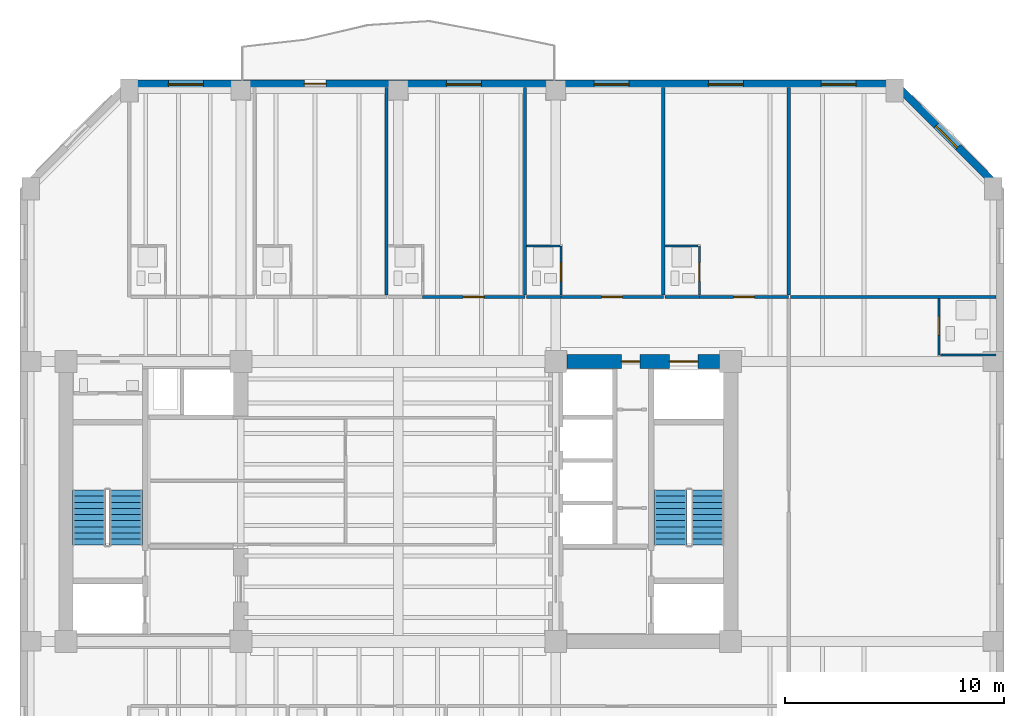
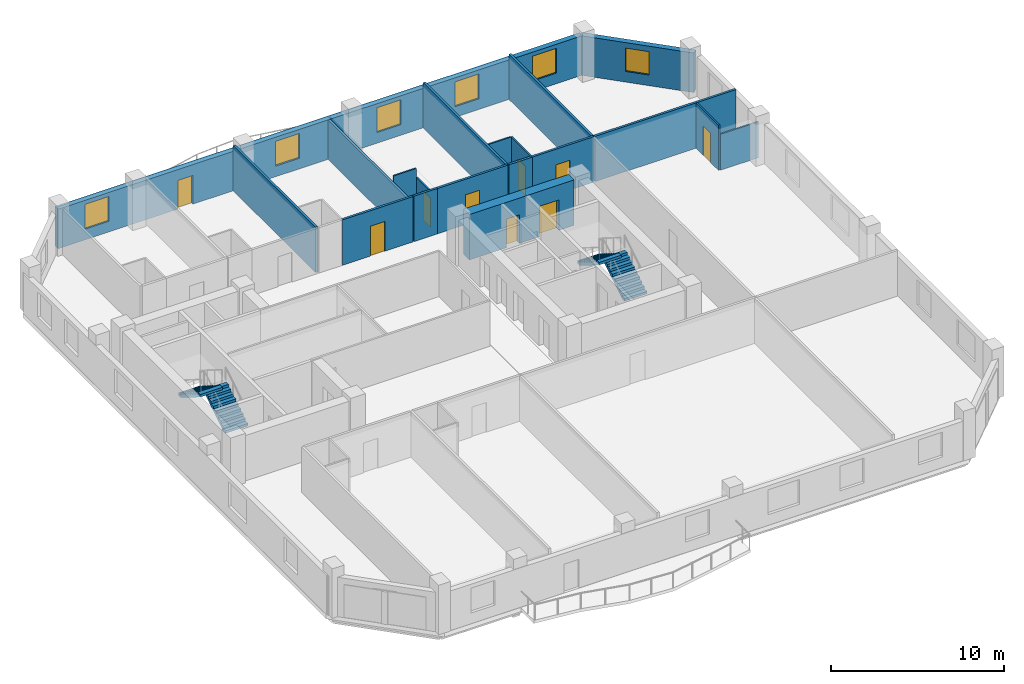
# One storey, part 5 of 9: 19 walls, 9 doors, 6 windows, 4 stair flights, 15 openings, 2 elements without a shape of their own.
"""IFC4 building model written with IfcOpenShell, lengths in metres."""

from ifc_helpers import new_model, si_unit, direction, frame, frame_2d, origin, place, context, subcontext, project, spatial, polyline, rectangle, outline, extrude, material, layer, layer_set, type_object, element, fill, aggregate, save


model = new_model("IFC4")

# Units and contexts
model_context = context("Model", 3, precision=1e-05, world=origin(), true_north=direction((0.0, 1.0)))
body_context = subcontext(model_context, "Body", "Model", "MODEL_VIEW")
ifc_project = project(units=[si_unit("LENGTHUNIT", "METRE"), si_unit("AREAUNIT", "SQUARE_METRE"), si_unit("VOLUMEUNIT", "CUBIC_METRE"), si_unit("PLANEANGLEUNIT", "RADIAN"), si_unit("MASSUNIT", "GRAM", prefix="KILO")], contexts=[model_context])

# Site, building, storey
site_placement = place(None, origin())
site = spatial("IfcSite", under=ifc_project, at=site_placement, CompositionType="ELEMENT")
building_placement = place(site_placement, origin())
building = spatial("IfcBuilding", under=site, at=building_placement, Name="Kranthara Brick Stack", CompositionType="ELEMENT")
storey_placement = place(building_placement, frame((0.0, 0.0, 148.300048828125)))
storey = spatial("IfcBuildingStorey", under=building, at=storey_placement, Name="L37", CompositionType="ELEMENT", Elevation=148.300048828125)

# Wall, openings, door, windows
ifc_material_1 = material(Name="Kiln-fired clay brick masonry M15", Category="masonry")
ifc_layer_1 = layer(ifc_material_1, 0.35009765625)
ifc_layer_set_1 = layer_set([ifc_layer_1], Name="Kiln-fired clay brick masonry M15")
wall_type_1 = type_object("IfcWallType", Name="WL-BRK-SPND-350", PredefinedType="STANDARD", material=ifc_layer_set_1)
wall_1_placement = place(storey_placement, frame((15.699951171875, 46.304931640625, 0.0), z_axis=(0.0, 0.0, 1.0), x_axis=(1.0, 0.0, 0.0)))
wall_1 = element("IfcWall", 1, at=wall_1_placement, inside=storey, type_object=wall_type_1, Name="L37 Exterior Brick Facade Wall NORTH 1", PredefinedType="STANDARD", context=body_context, shape_type="SweptSolid", body=[
    extrude(rectangle(XDim=35.0, YDim=0.35009765625, at=frame_2d((17.5, 0.0))), origin(), (0.0, 0.0, 1.0), 2.784912109375),
])
opening_1_placement = place(wall_1_placement, frame((8.0, 0.0, 0.0)))
opening_1 = element("IfcOpeningElement", 2, at=opening_1_placement, cuts=wall_1, Name="Opening D03", PredefinedType="OPENING", context=body_context, shape_type="SweptSolid", body=[
    extrude(rectangle(XDim=1.0, YDim=2.02001953125, at=frame_2d((0.5, 1.010009765625))), frame((0.0, 0.18505859375, 0.0), z_axis=(0.0, -1.0, 0.0), x_axis=(1.0, 0.0, 0.0)), (0.0, 0.0, 1.0), 0.3701171875),
])
opening_2_placement = place(wall_1_placement, frame((1.7880859375, 0.0, 0.75)))
opening_2 = element("IfcOpeningElement", 3, at=opening_2_placement, cuts=wall_1, Name="Opening WN04", PredefinedType="OPENING", context=body_context, shape_type="SweptSolid", body=[
    extrude(rectangle(XDim=1.60009765625, YDim=1.75, at=frame_2d((0.800048828125, 0.875))), frame((0.0, 0.18505859375, 0.0), z_axis=(0.0, -1.0, 0.0), x_axis=(1.0, 0.0, 0.0)), (0.0, 0.0, 1.0), 0.3701171875),
])
opening_3_placement = place(wall_1_placement, frame((14.4951171875, 0.0, 0.75)))
opening_3 = element("IfcOpeningElement", 4, at=opening_3_placement, cuts=wall_1, Name="Opening WN04", PredefinedType="OPENING", context=body_context, shape_type="SweptSolid", body=[
    extrude(rectangle(XDim=1.60009765625, YDim=1.75, at=frame_2d((0.800048828125, 0.875))), frame((0.0, 0.18505859375, 0.0), z_axis=(0.0, -1.0, 0.0), x_axis=(1.0, 0.0, 0.0)), (0.0, 0.0, 1.0), 0.3701171875),
])
opening_4_placement = place(wall_1_placement, frame((21.260986328125, 0.0, 0.75)))
opening_4 = element("IfcOpeningElement", 5, at=opening_4_placement, cuts=wall_1, Name="Opening WN04", PredefinedType="OPENING", context=body_context, shape_type="SweptSolid", body=[
    extrude(rectangle(XDim=1.60009765625, YDim=1.75, at=frame_2d((0.800048828125, 0.875))), frame((0.0, 0.18505859375, 0.0), z_axis=(0.0, -1.0, 0.0), x_axis=(1.0, 0.0, 0.0)), (0.0, 0.0, 1.0), 0.3701171875),
])
opening_5_placement = place(wall_1_placement, frame((26.486083984375, 0.0, 0.75)))
opening_5 = element("IfcOpeningElement", 6, at=opening_5_placement, cuts=wall_1, Name="Opening WN04", PredefinedType="OPENING", context=body_context, shape_type="SweptSolid", body=[
    extrude(rectangle(XDim=1.60009765625, YDim=1.75, at=frame_2d((0.800048828125, 0.875))), frame((0.0, 0.18505859375, 0.0), z_axis=(0.0, -1.0, 0.0), x_axis=(1.0, 0.0, 0.0)), (0.0, 0.0, 1.0), 0.3701171875),
])
opening_6_placement = place(wall_1_placement, frame((31.636962890625, 0.0, 0.75)))
opening_6 = element("IfcOpeningElement", 7, at=opening_6_placement, cuts=wall_1, Name="Opening WN04", PredefinedType="OPENING", context=body_context, shape_type="SweptSolid", body=[
    extrude(rectangle(XDim=1.60009765625, YDim=1.75, at=frame_2d((0.800048828125, 0.875))), frame((0.0, 0.18505859375, 0.0), z_axis=(0.0, -1.0, 0.0), x_axis=(1.0, 0.0, 0.0)), (0.0, 0.0, 1.0), 0.3701171875),
])
ifc_material_2 = material(Name="Bronze anodised aluminium and laminated glass", Category="aluminium")
door_type_1 = type_object("IfcDoorType", Name="DR-BALC-1000", OperationType="NOTDEFINED", PredefinedType="DOOR", material=ifc_material_2)
door_1_placement = place(opening_1_placement, origin())
door_1 = element("IfcDoor", 8, at=door_1_placement, inside=storey, type_object=door_type_1, Name="L37 North Balcony Terrace Door", OperationType="SINGLE_SWING_RIGHT", OverallHeight=2.02001953125, OverallWidth=1.0, PredefinedType="DOOR", context=body_context, shape_type="SweptSolid", body=[
    extrude(rectangle(XDim=1.0, YDim=2.02001953125, at=frame_2d((0.5, 1.010009765625))), frame((0.0, 0.02490234375, 0.0), z_axis=(0.0, -1.0, 0.0), x_axis=(1.0, 0.0, 0.0)), (0.0, 0.0, 1.0), 0.050048828125),
])
fill(opening_1, door_1)
ifc_material_3 = material(Name="Double-glazed low-E solar control glass", Category="glass")
window_type_1 = type_object("IfcWindowType", Name="WN-HTL-1600x1850", PartitioningType="DOUBLE_PANEL_VERTICAL", PredefinedType="WINDOW", material=ifc_material_3)
window_1_placement = place(opening_2_placement, origin())
window_1 = element("IfcWindow", 9, at=window_1_placement, inside=storey, type_object=window_type_1, Name="L37 North Deep-Set Brick Window 01", OverallHeight=1.75, OverallWidth=1.60009765625, PartitioningType="SINGLE_PANEL", PredefinedType="WINDOW", context=body_context, shape_type="SweptSolid", body=[
    extrude(rectangle(XDim=1.60009765625, YDim=1.75, at=frame_2d((0.800048828125, 0.875))), frame((0.0, -0.010009765625, 0.0), z_axis=(0.0, -1.0, 0.0), x_axis=(1.0, 0.0, 0.0)), (0.0, 0.0, 1.0), 0.06005859375),
])
fill(opening_2, window_1)
window_2_placement = place(opening_3_placement, origin())
window_2 = element("IfcWindow", 10, at=window_2_placement, inside=storey, type_object=window_type_1, Name="L37 North Deep-Set Brick Window 02", OverallHeight=1.75, OverallWidth=1.60009765625, PartitioningType="SINGLE_PANEL", PredefinedType="WINDOW", context=body_context, shape_type="SweptSolid", body=[
    extrude(rectangle(XDim=1.60009765625, YDim=1.75, at=frame_2d((0.800048828125, 0.875))), frame((0.0, -0.010009765625, 0.0), z_axis=(0.0, -1.0, 0.0), x_axis=(1.0, 0.0, 0.0)), (0.0, 0.0, 1.0), 0.06005859375),
])
fill(opening_3, window_2)
window_3_placement = place(opening_4_placement, origin())
window_3 = element("IfcWindow", 11, at=window_3_placement, inside=storey, type_object=window_type_1, Name="L37 North Deep-Set Brick Window 03", OverallHeight=1.75, OverallWidth=1.60009765625, PartitioningType="SINGLE_PANEL", PredefinedType="WINDOW", context=body_context, shape_type="SweptSolid", body=[
    extrude(rectangle(XDim=1.60009765625, YDim=1.75, at=frame_2d((0.800048828125, 0.875))), frame((0.0, -0.010009765625, 0.0), z_axis=(0.0, -1.0, 0.0), x_axis=(1.0, 0.0, 0.0)), (0.0, 0.0, 1.0), 0.06005859375),
])
fill(opening_4, window_3)
window_4_placement = place(opening_5_placement, origin())
window_4 = element("IfcWindow", 12, at=window_4_placement, inside=storey, type_object=window_type_1, Name="L37 North Deep-Set Brick Window 04", OverallHeight=1.75, OverallWidth=1.60009765625, PartitioningType="SINGLE_PANEL", PredefinedType="WINDOW", context=body_context, shape_type="SweptSolid", body=[
    extrude(rectangle(XDim=1.60009765625, YDim=1.75, at=frame_2d((0.800048828125, 0.875))), frame((0.0, -0.010009765625, 0.0), z_axis=(0.0, -1.0, 0.0), x_axis=(1.0, 0.0, 0.0)), (0.0, 0.0, 1.0), 0.06005859375),
])
fill(opening_5, window_4)
window_5_placement = place(opening_6_placement, origin())
window_5 = element("IfcWindow", 13, at=window_5_placement, inside=storey, type_object=window_type_1, Name="L37 North Deep-Set Brick Window 05", OverallHeight=1.75, OverallWidth=1.60009765625, PartitioningType="SINGLE_PANEL", PredefinedType="WINDOW", context=body_context, shape_type="SweptSolid", body=[
    extrude(rectangle(XDim=1.60009765625, YDim=1.75, at=frame_2d((0.800048828125, 0.875))), frame((0.0, -0.010009765625, 0.0), z_axis=(0.0, -1.0, 0.0), x_axis=(1.0, 0.0, 0.0)), (0.0, 0.0, 1.0), 0.06005859375),
])
fill(opening_6, window_5)

# Wall, opening, window
wall_2_placement = place(storey_placement, frame((50.699951171875, 46.304931640625, 0.0), z_axis=(0.0, 0.0, 1.0), x_axis=(0.707106781187, -0.707106781187, 0.0)))
wall_2 = element("IfcWall", 14, at=wall_2_placement, inside=storey, type_object=wall_type_1, Name="L37 Exterior Brick Facade Wall NE 1", PredefinedType="STANDARD", context=body_context, shape_type="SweptSolid", body=[
    extrude(rectangle(XDim=6.795166015625, YDim=0.35009765625, at=frame_2d((3.3974609375, 0.0))), origin(), (0.0, 0.0, 1.0), 2.784912109375),
])
opening_7_placement = place(wall_2_placement, frame((2.697998046875, 0.0, 0.75)))
opening_7 = element("IfcOpeningElement", 15, at=opening_7_placement, cuts=wall_2, Name="Opening WN10", PredefinedType="OPENING", context=body_context, shape_type="SweptSolid", body=[
    extrude(rectangle(XDim=1.39990234375, YDim=1.64990234375, at=frame_2d((0.699951171875, 0.824951171875))), frame((0.0, 0.18505859375, 0.0), z_axis=(0.0, -1.0, 0.0), x_axis=(1.0, 0.0, 0.0)), (0.0, 0.0, 1.0), 0.3701171875),
])
ifc_material_4 = material(Name="Double-glazed low-E solar control glass", Category="glass")
window_type_2 = type_object("IfcWindowType", Name="WN-CHM-1400x1750", PartitioningType="SINGLE_PANEL", PredefinedType="WINDOW", material=ifc_material_4)
window_6_placement = place(opening_7_placement, origin())
window_6 = element("IfcWindow", 16, at=window_6_placement, inside=storey, type_object=window_type_2, Name="L37 NE Chamfer Corner Window", OverallHeight=1.64990234375, OverallWidth=1.39990234375, PartitioningType="SINGLE_PANEL", PredefinedType="WINDOW", context=body_context, shape_type="SweptSolid", body=[
    extrude(rectangle(XDim=1.39990234375, YDim=1.64990234375, at=frame_2d((0.699951171875, 0.824951171875))), frame((0.0, -0.010009765625, 0.0), z_axis=(0.0, -1.0, 0.0), x_axis=(1.0, 0.0, 0.0)), (0.0, 0.0, 1.0), 0.06005859375),
])
fill(opening_7, window_6)

# Wall, openings, doors
ifc_material_5 = material(Name="Concrete C60/75", Category="concrete")
ifc_layer_2 = layer(ifc_material_5, 0.64990234375)
ifc_layer_set_2 = layer_set([ifc_layer_2], Name="Concrete C60/75")
wall_type_2 = type_object("IfcWallType", Name="WL-CORE-650", PredefinedType="SHEAR", material=ifc_layer_set_2)
wall_3_placement = place(storey_placement, frame((35.705078125, 33.60009765625, 0.0), z_axis=(0.0, 0.0, 1.0), x_axis=(1.0, 0.0, 0.0)))
wall_3 = element("IfcWall", 17, at=wall_3_placement, inside=storey, type_object=wall_type_2, Name="L37 East Core Shear Wall North", PredefinedType="SHEAR", context=body_context, shape_type="SweptSolid", body=[
    extrude(rectangle(XDim=6.989990234375, YDim=0.64990234375, at=frame_2d((3.4951171875, 0.0))), origin(), (0.0, 0.0, 1.0), 3.199951171875),
])
opening_8_placement = place(wall_3_placement, frame((4.695068359375, 0.0, 0.0)))
opening_8 = element("IfcOpeningElement", 18, at=opening_8_placement, cuts=wall_3, Name="Opening LD03", PredefinedType="OPENING", context=body_context, shape_type="SweptSolid", body=[
    extrude(rectangle(XDim=1.300048828125, YDim=2.14990234375, at=frame_2d((0.64990234375, 1.074951171875))), frame((0.0, 0.3349609375, 0.0), z_axis=(0.0, -1.0, 0.0), x_axis=(1.0, 0.0, 0.0)), (0.0, 0.0, 1.0), 0.669921875),
])
opening_9_placement = place(wall_3_placement, frame((2.4951171875, 0.0, 0.0)))
opening_9 = element("IfcOpeningElement", 19, at=opening_9_placement, cuts=wall_3, Name="Opening D10", PredefinedType="OPENING", context=body_context, shape_type="SweptSolid", body=[
    extrude(rectangle(XDim=0.85009765625, YDim=2.02001953125, at=frame_2d((0.425048828125, 1.010009765625))), frame((0.0, 0.3349609375, 0.0), z_axis=(0.0, -1.0, 0.0), x_axis=(1.0, 0.0, 0.0)), (0.0, 0.0, 1.0), 0.669921875),
])
ifc_material_6 = material(Name="Stainless steel sliding landing door", Category="steel")
door_type_2 = type_object("IfcDoorType", Name="DR-LD-SV1300", OperationType="DOUBLE_DOOR_SLIDING", PredefinedType="DOOR", material=ifc_material_6)
door_2_placement = place(opening_8_placement, origin())
door_2 = element("IfcDoor", 20, at=door_2_placement, inside=storey, type_object=door_type_2, Name="L37 Stretcher Service Lift SV-01 Landing Door", OperationType="DOUBLE_DOOR_SLIDING", OverallHeight=2.14990234375, OverallWidth=1.300048828125, PredefinedType="DOOR", context=body_context, shape_type="SweptSolid", body=[
    extrude(rectangle(XDim=1.300048828125, YDim=2.14990234375, at=frame_2d((0.64990234375, 1.074951171875))), frame((0.0, 0.02490234375, 0.0), z_axis=(0.0, -1.0, 0.0), x_axis=(1.0, 0.0, 0.0)), (0.0, 0.0, 1.0), 0.050048828125),
])
fill(opening_8, door_2)
ifc_material_7 = material(Name="Solid-core hardwood timber leaf in steel frame", Category="steel")
door_type_3 = type_object("IfcDoorType", Name="DR-RSR-850", OperationType="NOTDEFINED", PredefinedType="DOOR", material=ifc_material_7)
door_3_placement = place(opening_9_placement, origin())
door_3 = element("IfcDoor", 21, at=door_3_placement, inside=storey, type_object=door_type_3, Name="L37 East Core Service Room Door", OperationType="SINGLE_SWING_LEFT", OverallHeight=2.02001953125, OverallWidth=0.85009765625, PredefinedType="DOOR", context=body_context, shape_type="SweptSolid", body=[
    extrude(rectangle(XDim=0.85009765625, YDim=2.02001953125, at=frame_2d((0.425048828125, 1.010009765625))), frame((0.0, 0.02490234375, 0.0), z_axis=(0.0, -1.0, 0.0), x_axis=(1.0, 0.0, 0.0)), (0.0, 0.0, 1.0), 0.050048828125),
])
fill(opening_9, door_3)

# Wall, opening, door
ifc_material_8 = material(Name="Moisture-resistant wet-room partition", Category="other")
ifc_layer_3 = layer(ifc_material_8, 0.10009765625)
ifc_layer_set_3 = layer_set([ifc_layer_3], Name="Moisture-resistant wet-room partition")
wall_type_3 = type_object("IfcWallType", Name="WL-PART-100", PredefinedType="PARTITIONING", material=ifc_layer_set_3)
wall_4_placement = place(storey_placement, frame((35.43994140625, 36.6298828125, 0.0), z_axis=(0.0, 0.0, 1.0), x_axis=(0.0, 1.0, 0.0)))
wall_4 = element("IfcWall", 22, at=wall_4_placement, inside=storey, type_object=wall_type_3, Name="L37 Interior Partition 040", PredefinedType="PARTITIONING", context=body_context, shape_type="SweptSolid", body=[
    extrude(rectangle(XDim=2.25, YDim=0.10009765625, at=frame_2d((1.125, 0.0))), origin(), (0.0, 0.0, 1.0), 2.534912109375),
])
opening_10_placement = place(wall_4_placement, frame((0.639892578125, 0.0, 0.0)))
opening_10 = element("IfcOpeningElement", 23, at=opening_10_placement, cuts=wall_4, Name="Opening D17", PredefinedType="OPENING", context=body_context, shape_type="SweptSolid", body=[
    extrude(rectangle(XDim=0.85009765625, YDim=2.050048828125, at=frame_2d((0.425048828125, 1.02490234375))), frame((0.0, 0.06005859375, 0.0), z_axis=(0.0, -1.0, 0.0), x_axis=(1.0, 0.0, 0.0)), (0.0, 0.0, 1.0), 0.1201171875),
])
ifc_material_9 = material(Name="Solid-core hardwood timber leaf in steel frame", Category="steel")
door_type_4 = type_object("IfcDoorType", Name="DR-WET-850", OperationType="NOTDEFINED", PredefinedType="DOOR", material=ifc_material_9)
door_4_placement = place(opening_10_placement, origin())
door_4 = element("IfcDoor", 24, at=door_4_placement, inside=storey, type_object=door_type_4, Name="L37 Key 07 En-Suite Door 18", OperationType="SINGLE_SWING_RIGHT", OverallHeight=2.050048828125, OverallWidth=0.85009765625, PredefinedType="DOOR", context=body_context, shape_type="SweptSolid", body=[
    extrude(rectangle(XDim=0.85009765625, YDim=2.050048828125, at=frame_2d((0.425048828125, 1.02490234375))), frame((0.0, 0.02490234375, 0.0), z_axis=(0.0, -1.0, 0.0), x_axis=(1.0, 0.0, 0.0)), (0.0, 0.0, 1.0), 0.050048828125),
])
fill(opening_10, door_4)

# Wall
wall_5_placement = place(storey_placement, frame((33.8701171875, 38.8798828125, 0.0), z_axis=(0.0, 0.0, 1.0), x_axis=(1.0, 0.0, 0.0)))
element("IfcWall", 25, at=wall_5_placement, inside=storey, type_object=wall_type_3, Name="L37 Interior Partition 041", PredefinedType="PARTITIONING", context=body_context, shape_type="SweptSolid", body=[
    extrude(rectangle(XDim=1.514892578125, YDim=0.10009765625, at=frame_2d((0.75732421875, 0.0))), origin(), (0.0, 0.0, 1.0), 3.199951171875),
])

# Wall, opening, door
wall_6_placement = place(storey_placement, frame((41.77099609375, 36.6298828125, 0.0), z_axis=(0.0, 0.0, 1.0), x_axis=(0.0, 1.0, 0.0)))
wall_6 = element("IfcWall", 26, at=wall_6_placement, inside=storey, type_object=wall_type_3, Name="L37 Interior Partition 045", PredefinedType="PARTITIONING", context=body_context, shape_type="SweptSolid", body=[
    extrude(rectangle(XDim=2.25, YDim=0.10009765625, at=frame_2d((1.125, 0.0))), origin(), (0.0, 0.0, 1.0), 3.199951171875),
])
opening_11_placement = place(wall_6_placement, frame((0.639892578125, 0.0, 0.0)))
opening_11 = element("IfcOpeningElement", 27, at=opening_11_placement, cuts=wall_6, Name="Opening D17", PredefinedType="OPENING", context=body_context, shape_type="SweptSolid", body=[
    extrude(rectangle(XDim=0.85009765625, YDim=2.050048828125, at=frame_2d((0.425048828125, 1.02490234375))), frame((0.0, 0.06005859375, 0.0), z_axis=(0.0, -1.0, 0.0), x_axis=(1.0, 0.0, 0.0)), (0.0, 0.0, 1.0), 0.1201171875),
])
door_5_placement = place(opening_11_placement, origin())
door_5 = element("IfcDoor", 28, at=door_5_placement, inside=storey, type_object=door_type_4, Name="L37 Key 08 En-Suite Door 20", OperationType="SINGLE_SWING_RIGHT", OverallHeight=2.050048828125, OverallWidth=0.85009765625, PredefinedType="DOOR", context=body_context, shape_type="SweptSolid", body=[
    extrude(rectangle(XDim=0.85009765625, YDim=2.050048828125, at=frame_2d((0.425048828125, 1.02490234375))), frame((0.0, 0.02490234375, 0.0), z_axis=(0.0, -1.0, 0.0), x_axis=(1.0, 0.0, 0.0)), (0.0, 0.0, 1.0), 0.050048828125),
])
fill(opening_11, door_5)

# Wall
wall_7_placement = place(storey_placement, frame((40.200927734375, 38.8798828125, 0.0), z_axis=(0.0, 0.0, 1.0), x_axis=(1.0, 0.0, 0.0)))
element("IfcWall", 29, at=wall_7_placement, inside=storey, type_object=wall_type_3, Name="L37 Interior Partition 046", PredefinedType="PARTITIONING", context=body_context, shape_type="SweptSolid", body=[
    extrude(rectangle(XDim=1.51513671875, YDim=0.10009765625, at=frame_2d((0.757568359375, 0.0))), origin(), (0.0, 0.0, 1.0), 3.199951171875),
])

# Wall, opening, door
wall_8_placement = place(storey_placement, frame((52.72998046875, 33.89990234375, 0.0), z_axis=(0.0, 0.0, 1.0), x_axis=(0.0, 1.0, 0.0)))
wall_8 = element("IfcWall", 30, at=wall_8_placement, inside=storey, type_object=wall_type_3, Name="L37 Interior Partition 051", PredefinedType="PARTITIONING", context=body_context, shape_type="SweptSolid", body=[
    extrude(rectangle(XDim=2.570068359375, YDim=0.10009765625, at=frame_2d((1.28515625, 0.0))), origin(), (0.0, 0.0, 1.0), 3.199951171875),
])
opening_12_placement = place(wall_8_placement, frame((0.905029296875, 0.0, 0.0)))
opening_12 = element("IfcOpeningElement", 31, at=opening_12_placement, cuts=wall_8, Name="Opening D17", PredefinedType="OPENING", context=body_context, shape_type="SweptSolid", body=[
    extrude(rectangle(XDim=0.85009765625, YDim=2.050048828125, at=frame_2d((0.425048828125, 1.02490234375))), frame((0.0, 0.06005859375, 0.0), z_axis=(0.0, -1.0, 0.0), x_axis=(1.0, 0.0, 0.0)), (0.0, 0.0, 1.0), 0.1201171875),
])
door_6_placement = place(opening_12_placement, origin())
door_6 = element("IfcDoor", 32, at=door_6_placement, inside=storey, type_object=door_type_4, Name="L37 East Key 9 Bath 22", OperationType="SINGLE_SWING_RIGHT", OverallHeight=2.050048828125, OverallWidth=0.85009765625, PredefinedType="DOOR", context=body_context, shape_type="SweptSolid", body=[
    extrude(rectangle(XDim=0.85009765625, YDim=2.050048828125, at=frame_2d((0.425048828125, 1.02490234375))), frame((0.0, 0.02490234375, 0.0), z_axis=(0.0, -1.0, 0.0), x_axis=(1.0, 0.0, 0.0)), (0.0, 0.0, 1.0), 0.050048828125),
])
fill(opening_12, door_6)

# Walls
wall_9_placement = place(storey_placement, frame((52.784912109375, 33.89990234375, 0.0), z_axis=(0.0, 0.0, 1.0), x_axis=(1.0, 0.0, 0.0)))
element("IfcWall", 33, at=wall_9_placement, inside=storey, type_object=wall_type_3, Name="L37 Interior Partition 052", PredefinedType="PARTITIONING", context=body_context, shape_type="SweptSolid", body=[
    extrude(rectangle(XDim=2.5400390625, YDim=0.10009765625, at=frame_2d((1.27001953125, 0.0))), origin(), (0.0, 0.0, 1.0), 2.534912109375),
])
ifc_material_10 = material(Name="Fire-rated gypsum board partition", Category="other")
ifc_layer_4 = layer(ifc_material_10, 0.14990234375)
ifc_layer_set_4 = layer_set([ifc_layer_4], Name="Fire-rated gypsum board partition")
wall_type_4 = type_object("IfcWallType", Name="WL-PART-150", PredefinedType="PARTITIONING", material=ifc_layer_set_4)
wall_10_placement = place(storey_placement, frame((27.458984375, 36.6298828125, 0.0), z_axis=(0.0, 0.0, 1.0), x_axis=(0.0, 1.0, 0.0)))
element("IfcWall", 34, at=wall_10_placement, inside=storey, type_object=wall_type_4, Name="L37 Interior Partition 032", PredefinedType="PARTITIONING", context=body_context, shape_type="SweptSolid", body=[
    extrude(rectangle(XDim=9.4951171875, YDim=0.14990234375, at=frame_2d((4.74755859375, 0.0))), origin(), (0.0, 0.0, 1.0), 3.199951171875),
])

# Wall, opening, door
wall_11_placement = place(storey_placement, frame((29.10888671875, 36.550048828125, 0.0), z_axis=(0.0, 0.0, 1.0), x_axis=(1.0, 0.0, 0.0)))
wall_11 = element("IfcWall", 35, at=wall_11_placement, inside=storey, type_object=wall_type_4, Name="L37 Interior Partition 034", PredefinedType="PARTITIONING", context=body_context, shape_type="SweptSolid", body=[
    extrude(rectangle(XDim=4.68115234375, YDim=0.14990234375, at=frame_2d((2.340576171875, 0.0))), origin(), (0.0, 0.0, 1.0), 3.199951171875),
])
opening_13_placement = place(wall_11_placement, frame((1.861083984375, 0.0, 0.0)))
opening_13 = element("IfcOpeningElement", 36, at=opening_13_placement, cuts=wall_11, Name="Opening D09", PredefinedType="OPENING", context=body_context, shape_type="SweptSolid", body=[
    extrude(rectangle(XDim=0.949951171875, YDim=2.10009765625, at=frame_2d((0.47509765625, 1.050048828125))), frame((0.0, 0.0849609375, 0.0), z_axis=(0.0, -1.0, 0.0), x_axis=(1.0, 0.0, 0.0)), (0.0, 0.0, 1.0), 0.169921875),
])
ifc_material_11 = material(Name="Solid-core hardwood timber leaf in steel frame", Category="steel")
door_type_5 = type_object("IfcDoorType", Name="DR-FD-950", OperationType="NOTDEFINED", PredefinedType="DOOR", material=ifc_material_11)
door_7_placement = place(opening_13_placement, origin())
door_7 = element("IfcDoor", 37, at=door_7_placement, inside=storey, type_object=door_type_5, Name="L37 Key 06 Entry 17", OperationType="SINGLE_SWING_LEFT", OverallHeight=2.10009765625, OverallWidth=0.949951171875, PredefinedType="DOOR", context=body_context, shape_type="SweptSolid", body=[
    extrude(rectangle(XDim=0.949951171875, YDim=2.10009765625, at=frame_2d((0.47509765625, 1.050048828125))), frame((0.0, 0.02490234375, 0.0), z_axis=(0.0, -1.0, 0.0), x_axis=(1.0, 0.0, 0.0)), (0.0, 0.0, 1.0), 0.050048828125),
])
fill(opening_13, door_7)

# Walls
wall_12_placement = place(storey_placement, frame((33.7900390625, 36.6298828125, 0.0), z_axis=(0.0, 0.0, 1.0), x_axis=(0.0, 1.0, 0.0)))
element("IfcWall", 38, at=wall_12_placement, inside=storey, type_object=wall_type_4, Name="L37 Interior Partition 037", PredefinedType="PARTITIONING", context=body_context, shape_type="SweptSolid", body=[
    extrude(rectangle(XDim=9.4951171875, YDim=0.14990234375, at=frame_2d((4.74755859375, 0.0))), origin(), (0.0, 0.0, 1.0), 2.784912109375),
])
wall_13_placement = place(storey_placement, frame((33.8701171875, 36.550048828125, 0.0), z_axis=(0.0, 0.0, 1.0), x_axis=(1.0, 0.0, 0.0)))
element("IfcWall", 39, at=wall_13_placement, inside=storey, type_object=wall_type_4, Name="L37 Interior Partition 038", PredefinedType="PARTITIONING", context=body_context, shape_type="SweptSolid", body=[
    extrude(rectangle(XDim=1.56982421875, YDim=0.14990234375, at=frame_2d((0.784912109375, 0.0))), origin(), (0.0, 0.0, 1.0), 3.199951171875),
])

# Wall, opening, door
wall_14_placement = place(storey_placement, frame((35.43994140625, 36.550048828125, 0.0), z_axis=(0.0, 0.0, 1.0), x_axis=(1.0, 0.0, 0.0)))
wall_14 = element("IfcWall", 40, at=wall_14_placement, inside=storey, type_object=wall_type_4, Name="L37 Interior Partition 039", PredefinedType="PARTITIONING", context=body_context, shape_type="SweptSolid", body=[
    extrude(rectangle(XDim=4.68115234375, YDim=0.14990234375, at=frame_2d((2.340576171875, 0.0))), origin(), (0.0, 0.0, 1.0), 3.199951171875),
])
opening_14_placement = place(wall_14_placement, frame((1.861083984375, 0.0, 0.0)))
opening_14 = element("IfcOpeningElement", 41, at=opening_14_placement, cuts=wall_14, Name="Opening D09", PredefinedType="OPENING", context=body_context, shape_type="SweptSolid", body=[
    extrude(rectangle(XDim=0.949951171875, YDim=2.10009765625, at=frame_2d((0.47509765625, 1.050048828125))), frame((0.0, 0.0849609375, 0.0), z_axis=(0.0, -1.0, 0.0), x_axis=(1.0, 0.0, 0.0)), (0.0, 0.0, 1.0), 0.169921875),
])
door_8_placement = place(opening_14_placement, origin())
door_8 = element("IfcDoor", 42, at=door_8_placement, inside=storey, type_object=door_type_5, Name="L37 Key 07 Entry 19", OperationType="SINGLE_SWING_LEFT", OverallHeight=2.10009765625, OverallWidth=0.949951171875, PredefinedType="DOOR", context=body_context, shape_type="SweptSolid", body=[
    extrude(rectangle(XDim=0.949951171875, YDim=2.10009765625, at=frame_2d((0.47509765625, 1.050048828125))), frame((0.0, 0.02490234375, 0.0), z_axis=(0.0, -1.0, 0.0), x_axis=(1.0, 0.0, 0.0)), (0.0, 0.0, 1.0), 0.050048828125),
])
fill(opening_14, door_8)

# Walls
wall_15_placement = place(storey_placement, frame((40.12109375, 36.6298828125, 0.0), z_axis=(0.0, 0.0, 1.0), x_axis=(0.0, 1.0, 0.0)))
element("IfcWall", 43, at=wall_15_placement, inside=storey, type_object=wall_type_4, Name="L37 Interior Partition 042", PredefinedType="PARTITIONING", context=body_context, shape_type="SweptSolid", body=[
    extrude(rectangle(XDim=9.4951171875, YDim=0.14990234375, at=frame_2d((4.74755859375, 0.0))), origin(), (0.0, 0.0, 1.0), 3.199951171875),
])
wall_16_placement = place(storey_placement, frame((40.200927734375, 36.550048828125, 0.0), z_axis=(0.0, 0.0, 1.0), x_axis=(1.0, 0.0, 0.0)))
element("IfcWall", 44, at=wall_16_placement, inside=storey, type_object=wall_type_4, Name="L37 Interior Partition 043", PredefinedType="PARTITIONING", context=body_context, shape_type="SweptSolid", body=[
    extrude(rectangle(XDim=1.570068359375, YDim=0.14990234375, at=frame_2d((0.78515625, 0.0))), origin(), (0.0, 0.0, 1.0), 3.199951171875),
])

# Wall, opening, door
wall_17_placement = place(storey_placement, frame((41.77099609375, 36.550048828125, 0.0), z_axis=(0.0, 0.0, 1.0), x_axis=(1.0, 0.0, 0.0)))
wall_17 = element("IfcWall", 45, at=wall_17_placement, inside=storey, type_object=wall_type_4, Name="L37 Interior Partition 044", PredefinedType="PARTITIONING", context=body_context, shape_type="SweptSolid", body=[
    extrude(rectangle(XDim=4.0791015625, YDim=0.14990234375, at=frame_2d((2.03955078125, 0.0))), origin(), (0.0, 0.0, 1.0), 3.199951171875),
])
opening_15_placement = place(wall_17_placement, frame((1.56005859375, 0.0, 0.0)))
opening_15 = element("IfcOpeningElement", 46, at=opening_15_placement, cuts=wall_17, Name="Opening D09", PredefinedType="OPENING", context=body_context, shape_type="SweptSolid", body=[
    extrude(rectangle(XDim=0.949951171875, YDim=2.10009765625, at=frame_2d((0.47509765625, 1.050048828125))), frame((0.0, 0.0849609375, 0.0), z_axis=(0.0, -1.0, 0.0), x_axis=(1.0, 0.0, 0.0)), (0.0, 0.0, 1.0), 0.169921875),
])
door_9_placement = place(opening_15_placement, origin())
door_9 = element("IfcDoor", 47, at=door_9_placement, inside=storey, type_object=door_type_5, Name="L37 Key 08 Entry 21", OperationType="SINGLE_SWING_LEFT", OverallHeight=2.10009765625, OverallWidth=0.949951171875, PredefinedType="DOOR", context=body_context, shape_type="SweptSolid", body=[
    extrude(rectangle(XDim=0.949951171875, YDim=2.10009765625, at=frame_2d((0.47509765625, 1.050048828125))), frame((0.0, 0.02490234375, 0.0), z_axis=(0.0, -1.0, 0.0), x_axis=(1.0, 0.0, 0.0)), (0.0, 0.0, 1.0), 0.050048828125),
])
fill(opening_15, door_9)

# Walls
wall_18_placement = place(storey_placement, frame((45.85009765625, 36.6298828125, 0.0), z_axis=(0.0, 0.0, 1.0), x_axis=(0.0, 1.0, 0.0)))
element("IfcWall", 48, at=wall_18_placement, inside=storey, type_object=wall_type_4, Name="L37 Interior Partition 047", PredefinedType="PARTITIONING", context=body_context, shape_type="SweptSolid", body=[
    extrude(rectangle(XDim=9.4951171875, YDim=0.14990234375, at=frame_2d((4.74755859375, 0.0))), origin(), (0.0, 0.0, 1.0), 3.199951171875),
])
wall_19_placement = place(storey_placement, frame((45.929931640625, 36.550048828125, 0.0), z_axis=(0.0, 0.0, 1.0), x_axis=(1.0, 0.0, 0.0)))
element("IfcWall", 49, at=wall_19_placement, inside=storey, type_object=wall_type_4, Name="L37 Interior Partition 049", PredefinedType="PARTITIONING", context=body_context, shape_type="SweptSolid", body=[
    extrude(rectangle(XDim=9.39501953125, YDim=0.14990234375, at=frame_2d((4.697509765625, 0.0))), origin(), (0.0, 0.0, 1.0), 3.199951171875),
])

# Stair, stair flights
ifc_material_12 = material(Name="Concrete C45/55", Category="concrete")
stair_type = type_object("IfcStairType", Name="ST-CORE-20R", PredefinedType="HALF_TURN_STAIR", material=ifc_material_12)
stair_1_placement = place(storey_placement, origin())
stair_1 = element("IfcStair", 50, at=stair_1_placement, inside=storey, type_object=stair_type, Name="L37 West Core Protected Exit Stair ST01", PredefinedType="HALF_TURN_STAIR")
ifc_material_13 = material(Name="Concrete C45/55", Category="concrete")
stair_flight_type = type_object("IfcStairFlightType", Name="SFL-RC-20R", PredefinedType="STRAIGHT", material=ifc_material_13)
stair_flight_1_placement = place(storey_placement, frame((15.550048828125, 25.199951171875, 0.0), z_axis=(0.0, 0.0, 1.0), x_axis=(0.0, 1.0, 0.0)))
stair_flight_1 = element("IfcStairFlight", 51, at=stair_flight_1_placement, type_object=stair_flight_type, Name="ST01 flight 1", NumberOfRisers=10, NumberOfTreads=9, PredefinedType="STRAIGHT", RiserHeight=0.175, TreadLength=0.28, context=body_context, shape_type="SweptSolid", body=[
    extrude(outline(polyline([(0.0, 0.0), (0.0, 0.175048828125), (0.280029296875, 0.175048828125), (0.280029296875, 0.35009765625), (0.56005859375, 0.35009765625), (0.56005859375, 0.52490234375), (0.840087890625, 0.52490234375), (0.840087890625, 0.699951171875), (1.1201171875, 0.699951171875), (1.1201171875, 0.875), (1.39990234375, 0.875), (1.39990234375, 1.050048828125), (1.679931640625, 1.050048828125), (1.679931640625, 1.22509765625), (1.9599609375, 1.22509765625), (1.9599609375, 1.39990234375), (2.239990234375, 1.39990234375), (2.239990234375, 1.574951171875), (2.52001953125, 1.574951171875), (2.52001953125, 1.75), (2.52001953125, 1.398193359375), (0.28271484375, 0.0), (0.0, 0.0)])), frame((0.0, 0.75, 0.0), z_axis=(0.0, -1.0, 0.0), x_axis=(1.0, 0.0, 0.0)), (0.0, 0.0, 1.0), 1.5),
])
stair_flight_2_placement = place(storey_placement, frame((13.85009765625, 27.719970703125, 1.75), z_axis=(0.0, 0.0, 1.0), x_axis=(0.0, -1.0, 0.0)))
stair_flight_2 = element("IfcStairFlight", 52, at=stair_flight_2_placement, type_object=stair_flight_type, Name="ST01 flight 2", NumberOfRisers=10, NumberOfTreads=9, PredefinedType="STRAIGHT", RiserHeight=0.175, TreadLength=0.28, context=body_context, shape_type="SweptSolid", body=[
    extrude(outline(polyline([(0.0, 0.0), (0.0, 0.175048828125), (0.280029296875, 0.175048828125), (0.280029296875, 0.35009765625), (0.56005859375, 0.35009765625), (0.56005859375, 0.52490234375), (0.840087890625, 0.52490234375), (0.840087890625, 0.699951171875), (1.1201171875, 0.699951171875), (1.1201171875, 0.875), (1.39990234375, 0.875), (1.39990234375, 1.050048828125), (1.679931640625, 1.050048828125), (1.679931640625, 1.22509765625), (1.9599609375, 1.22509765625), (1.9599609375, 1.39990234375), (2.239990234375, 1.39990234375), (2.239990234375, 1.574951171875), (2.52001953125, 1.574951171875), (2.52001953125, 1.75), (2.52001953125, 1.398193359375), (0.28271484375, 0.0), (0.0, 0.0)])), frame((0.0, 0.75, 0.0), z_axis=(0.0, -1.0, 0.0), x_axis=(1.0, 0.0, 0.0)), (0.0, 0.0, 1.0), 1.5),
])
aggregate(stair_1, [stair_flight_1, stair_flight_2])

stair_2_placement = place(storey_placement, origin())
stair_2 = element("IfcStair", 53, at=stair_2_placement, inside=storey, type_object=stair_type, Name="L37 East Core Protected Exit Stair ST02", PredefinedType="HALF_TURN_STAIR")
stair_flight_3_placement = place(storey_placement, frame((42.14990234375, 25.199951171875, 0.0), z_axis=(0.0, 0.0, 1.0), x_axis=(0.0, 1.0, 0.0)))
stair_flight_3 = element("IfcStairFlight", 54, at=stair_flight_3_placement, type_object=stair_flight_type, Name="ST02 flight 1", NumberOfRisers=10, NumberOfTreads=9, PredefinedType="STRAIGHT", RiserHeight=0.175, TreadLength=0.28, context=body_context, shape_type="SweptSolid", body=[
    extrude(outline(polyline([(0.0, 0.0), (0.0, 0.175048828125), (0.280029296875, 0.175048828125), (0.280029296875, 0.35009765625), (0.56005859375, 0.35009765625), (0.56005859375, 0.52490234375), (0.840087890625, 0.52490234375), (0.840087890625, 0.699951171875), (1.1201171875, 0.699951171875), (1.1201171875, 0.875), (1.39990234375, 0.875), (1.39990234375, 1.050048828125), (1.679931640625, 1.050048828125), (1.679931640625, 1.22509765625), (1.9599609375, 1.22509765625), (1.9599609375, 1.39990234375), (2.239990234375, 1.39990234375), (2.239990234375, 1.574951171875), (2.52001953125, 1.574951171875), (2.52001953125, 1.75), (2.52001953125, 1.398193359375), (0.28271484375, 0.0), (0.0, 0.0)])), frame((0.0, 0.75, 0.0), z_axis=(0.0, -1.0, 0.0), x_axis=(1.0, 0.0, 0.0)), (0.0, 0.0, 1.0), 1.5),
])
stair_flight_4_placement = place(storey_placement, frame((40.449951171875, 27.719970703125, 1.75), z_axis=(0.0, 0.0, 1.0), x_axis=(0.0, -1.0, 0.0)))
stair_flight_4 = element("IfcStairFlight", 55, at=stair_flight_4_placement, type_object=stair_flight_type, Name="ST02 flight 2", NumberOfRisers=10, NumberOfTreads=9, PredefinedType="STRAIGHT", RiserHeight=0.175, TreadLength=0.28, context=body_context, shape_type="SweptSolid", body=[
    extrude(outline(polyline([(0.0, 0.0), (0.0, 0.175048828125), (0.280029296875, 0.175048828125), (0.280029296875, 0.35009765625), (0.56005859375, 0.35009765625), (0.56005859375, 0.52490234375), (0.840087890625, 0.52490234375), (0.840087890625, 0.699951171875), (1.1201171875, 0.699951171875), (1.1201171875, 0.875), (1.39990234375, 0.875), (1.39990234375, 1.050048828125), (1.679931640625, 1.050048828125), (1.679931640625, 1.22509765625), (1.9599609375, 1.22509765625), (1.9599609375, 1.39990234375), (2.239990234375, 1.39990234375), (2.239990234375, 1.574951171875), (2.52001953125, 1.574951171875), (2.52001953125, 1.75), (2.52001953125, 1.398193359375), (0.28271484375, 0.0), (0.0, 0.0)])), frame((0.0, 0.75, 0.0), z_axis=(0.0, -1.0, 0.0), x_axis=(1.0, 0.0, 0.0)), (0.0, 0.0, 1.0), 1.5),
])
aggregate(stair_2, [stair_flight_3, stair_flight_4])

save(model, "model.ifc")
